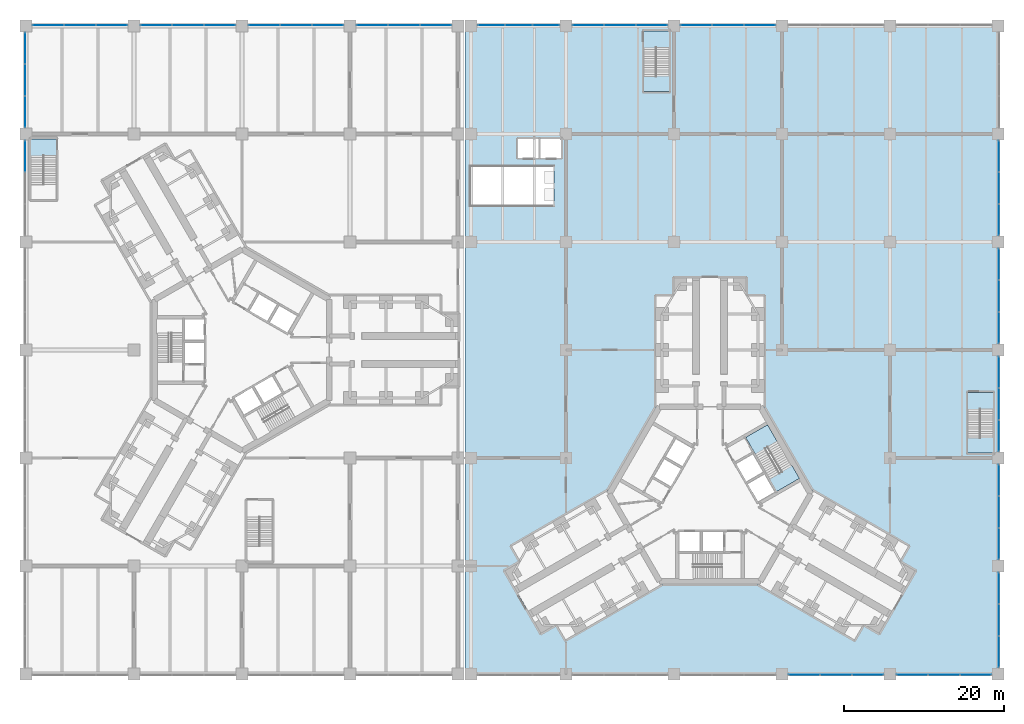
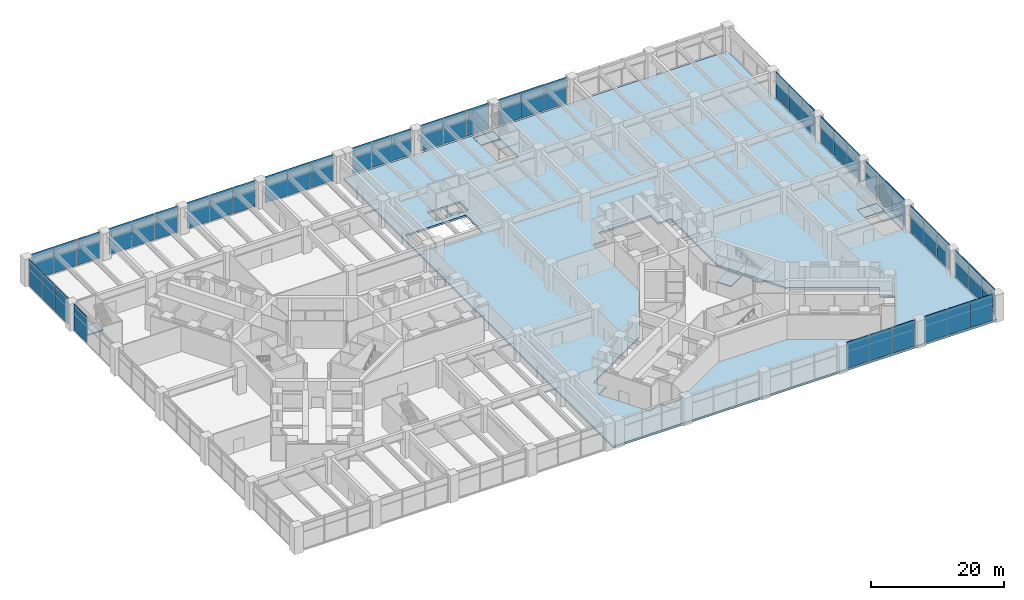
# One storey, part 19 of 31: 46 plates, 8 slabs, 20 elements without a shape of their own.
"""IFC4 building model written with IfcOpenShell, lengths in metres."""

from ifc_helpers import new_model, si_unit, direction, frame, origin, origin_2d, place, context, subcontext, project, spatial, polyline, rectangle, outline, extrude, material, layer, layer_set, type_object, element, aggregate, save


model = new_model("IFC4")

# Units and contexts
model_context = context("Model", 3, precision=1e-05, world=origin(), true_north=direction((0.0, 1.0)))
body_context = subcontext(model_context, "Body", "Model", "MODEL_VIEW")
ifc_project = project(units=[si_unit("LENGTHUNIT", "METRE"), si_unit("AREAUNIT", "SQUARE_METRE"), si_unit("VOLUMEUNIT", "CUBIC_METRE"), si_unit("PLANEANGLEUNIT", "RADIAN"), si_unit("MASSUNIT", "GRAM", prefix="KILO")], contexts=[model_context])

# Site, building, storey
site_placement = place(None, origin())
site = spatial("IfcSite", under=ifc_project, at=site_placement, CompositionType="ELEMENT")
building_placement = place(site_placement, origin())
building = spatial("IfcBuilding", under=site, at=building_placement, Name="Upepo Twin Towers", CompositionType="ELEMENT")
storey_placement = place(building_placement, frame((0.0, 0.0, 15.5)))
storey = spatial("IfcBuildingStorey", under=building, at=storey_placement, Name="L03", CompositionType="ELEMENT", Elevation=15.5)

# Curtain wall, plates
ifc_material_1 = material(Name="Aluminium and clear glass", Category="aluminium")
curtain_wall_type = type_object("IfcCurtainWallType", Name="Podium curtain wall PW1", PredefinedType="NOTDEFINED", material=ifc_material_1)
curtain_wall_1_placement = place(storey_placement, origin())
curtain_wall_1 = element("IfcCurtainWall", 1, at=curtain_wall_1_placement, inside=storey, type_object=curtain_wall_type, Name="Podium L03 curtain wall S8", PredefinedType="NOTDEFINED")
ifc_material_2 = material(Name="Ceramic-fritted laminated glass", Category="glass")
ifc_layer_1 = layer(ifc_material_2, 0.031982421875)
ifc_layer_set_1 = layer_set([ifc_layer_1], Name="Fritted glass panel, 32 mm double glazed")
plate_type_1 = type_object("IfcPlateType", Name="Fritted glass panel, 32 mm double glazed", PredefinedType="CURTAIN_PANEL", material=ifc_layer_set_1)
plate_1_placement = place(storey_placement, frame((70.28955078125, -40.60009765625, 0.14990234375), z_axis=(0.0, 0.0, 1.0), x_axis=(1.0, 0.0, 0.0)))
plate_1 = element("IfcPlate", 2, at=plate_1_placement, type_object=plate_type_1, Name="Podium L03 curtain wall S8 panel 1", PredefinedType="CURTAIN_PANEL", context=body_context, shape_type="SweptSolid", body=[
    extrude(rectangle(XDim=3.879150390625, YDim=0.031982421875, at=origin_2d()), origin(), (0.0, 0.0, 1.0), 4.85009765625),
])
plate_2_placement = place(storey_placement, frame((78.21044921875, -40.60009765625, 0.14990234375), z_axis=(0.0, 0.0, 1.0), x_axis=(1.0, 0.0, 0.0)))
plate_2 = element("IfcPlate", 3, at=plate_2_placement, type_object=plate_type_1, Name="Podium L03 curtain wall S8 panel 3", PredefinedType="CURTAIN_PANEL", context=body_context, shape_type="SweptSolid", body=[
    extrude(rectangle(XDim=3.879150390625, YDim=0.031982421875, at=origin_2d()), origin(), (0.0, 0.0, 1.0), 4.85009765625),
])

curtain_wall_2_placement = place(storey_placement, origin())
curtain_wall_2 = element("IfcCurtainWall", 4, at=curtain_wall_2_placement, inside=storey, type_object=curtain_wall_type, Name="Podium L03 curtain wall S9", PredefinedType="NOTDEFINED")
plate_3_placement = place(storey_placement, frame((83.78955078125, -40.60009765625, 0.14990234375), z_axis=(0.0, 0.0, 1.0), x_axis=(1.0, 0.0, 0.0)))
plate_3 = element("IfcPlate", 5, at=plate_3_placement, type_object=plate_type_1, Name="Podium L03 curtain wall S9 panel 1", PredefinedType="CURTAIN_PANEL", context=body_context, shape_type="SweptSolid", body=[
    extrude(rectangle(XDim=3.879150390625, YDim=0.031982421875, at=origin_2d()), origin(), (0.0, 0.0, 1.0), 4.85009765625),
])
plate_4_placement = place(storey_placement, frame((91.71044921875, -40.60009765625, 0.14990234375), z_axis=(0.0, 0.0, 1.0), x_axis=(1.0, 0.0, 0.0)))
plate_4 = element("IfcPlate", 6, at=plate_4_placement, type_object=plate_type_1, Name="Podium L03 curtain wall S9 panel 3", PredefinedType="CURTAIN_PANEL", context=body_context, shape_type="SweptSolid", body=[
    extrude(rectangle(XDim=3.879150390625, YDim=0.031982421875, at=origin_2d()), origin(), (0.0, 0.0, 1.0), 4.85009765625),
])

curtain_wall_3_placement = place(storey_placement, origin())
curtain_wall_3 = element("IfcCurtainWall", 7, at=curtain_wall_3_placement, inside=storey, type_object=curtain_wall_type, Name="Podium L03 curtain wall E1", PredefinedType="NOTDEFINED")
plate_5_placement = place(storey_placement, frame((94.60009765625, -37.71044921875, 0.14990234375), z_axis=(0.0, 0.0, 1.0), x_axis=(0.0, 1.0, 0.0)))
plate_5 = element("IfcPlate", 8, at=plate_5_placement, type_object=plate_type_1, Name="Podium L03 curtain wall E1 panel 1", PredefinedType="CURTAIN_PANEL", context=body_context, shape_type="SweptSolid", body=[
    extrude(rectangle(XDim=3.879150390625, YDim=0.031982421875, at=origin_2d()), origin(), (0.0, 0.0, 1.0), 4.85009765625),
])
plate_6_placement = place(storey_placement, frame((94.60009765625, -29.78955078125, 0.14990234375), z_axis=(0.0, 0.0, 1.0), x_axis=(0.0, 1.0, 0.0)))
plate_6 = element("IfcPlate", 9, at=plate_6_placement, type_object=plate_type_1, Name="Podium L03 curtain wall E1 panel 3", PredefinedType="CURTAIN_PANEL", context=body_context, shape_type="SweptSolid", body=[
    extrude(rectangle(XDim=3.879150390625, YDim=0.031982421875, at=origin_2d()), origin(), (0.0, 0.0, 1.0), 4.85009765625),
])

curtain_wall_4_placement = place(storey_placement, origin())
curtain_wall_4 = element("IfcCurtainWall", 10, at=curtain_wall_4_placement, inside=storey, type_object=curtain_wall_type, Name="Podium L03 curtain wall E2", PredefinedType="NOTDEFINED")
plate_7_placement = place(storey_placement, frame((94.60009765625, -24.21044921875, 0.14990234375), z_axis=(0.0, 0.0, 1.0), x_axis=(0.0, 1.0, 0.0)))
plate_7 = element("IfcPlate", 11, at=plate_7_placement, type_object=plate_type_1, Name="Podium L03 curtain wall E2 panel 1", PredefinedType="CURTAIN_PANEL", context=body_context, shape_type="SweptSolid", body=[
    extrude(rectangle(XDim=3.879150390625, YDim=0.031982421875, at=origin_2d()), origin(), (0.0, 0.0, 1.0), 4.85009765625),
])
plate_8_placement = place(storey_placement, frame((94.60009765625, -16.28955078125, 0.14990234375), z_axis=(0.0, 0.0, 1.0), x_axis=(0.0, 1.0, 0.0)))
plate_8 = element("IfcPlate", 12, at=plate_8_placement, type_object=plate_type_1, Name="Podium L03 curtain wall E2 panel 3", PredefinedType="CURTAIN_PANEL", context=body_context, shape_type="SweptSolid", body=[
    extrude(rectangle(XDim=3.879150390625, YDim=0.031982421875, at=origin_2d()), origin(), (0.0, 0.0, 1.0), 4.85009765625),
])

curtain_wall_5_placement = place(storey_placement, origin())
curtain_wall_5 = element("IfcCurtainWall", 13, at=curtain_wall_5_placement, inside=storey, type_object=curtain_wall_type, Name="Podium L03 curtain wall E3", PredefinedType="NOTDEFINED")
plate_9_placement = place(storey_placement, frame((94.60009765625, -10.71044921875, 0.14990234375), z_axis=(0.0, 0.0, 1.0), x_axis=(0.0, 1.0, 0.0)))
plate_9 = element("IfcPlate", 14, at=plate_9_placement, type_object=plate_type_1, Name="Podium L03 curtain wall E3 panel 1", PredefinedType="CURTAIN_PANEL", context=body_context, shape_type="SweptSolid", body=[
    extrude(rectangle(XDim=3.879150390625, YDim=0.031982421875, at=origin_2d()), origin(), (0.0, 0.0, 1.0), 4.85009765625),
])
plate_10_placement = place(storey_placement, frame((94.60009765625, -2.78955078125, 0.14990234375), z_axis=(0.0, 0.0, 1.0), x_axis=(0.0, 1.0, 0.0)))
plate_10 = element("IfcPlate", 15, at=plate_10_placement, type_object=plate_type_1, Name="Podium L03 curtain wall E3 panel 3", PredefinedType="CURTAIN_PANEL", context=body_context, shape_type="SweptSolid", body=[
    extrude(rectangle(XDim=3.879150390625, YDim=0.031982421875, at=origin_2d()), origin(), (0.0, 0.0, 1.0), 4.85009765625),
])

curtain_wall_6_placement = place(storey_placement, origin())
curtain_wall_6 = element("IfcCurtainWall", 16, at=curtain_wall_6_placement, inside=storey, type_object=curtain_wall_type, Name="Podium L03 curtain wall E4", PredefinedType="NOTDEFINED")
plate_11_placement = place(storey_placement, frame((94.60009765625, 2.78955078125, 0.14990234375), z_axis=(0.0, 0.0, 1.0), x_axis=(0.0, 1.0, 0.0)))
plate_11 = element("IfcPlate", 17, at=plate_11_placement, type_object=plate_type_1, Name="Podium L03 curtain wall E4 panel 1", PredefinedType="CURTAIN_PANEL", context=body_context, shape_type="SweptSolid", body=[
    extrude(rectangle(XDim=3.879150390625, YDim=0.031982421875, at=origin_2d()), origin(), (0.0, 0.0, 1.0), 4.85009765625),
])
plate_12_placement = place(storey_placement, frame((94.60009765625, 10.71044921875, 0.14990234375), z_axis=(0.0, 0.0, 1.0), x_axis=(0.0, 1.0, 0.0)))
plate_12 = element("IfcPlate", 18, at=plate_12_placement, type_object=plate_type_1, Name="Podium L03 curtain wall E4 panel 3", PredefinedType="CURTAIN_PANEL", context=body_context, shape_type="SweptSolid", body=[
    extrude(rectangle(XDim=3.879150390625, YDim=0.031982421875, at=origin_2d()), origin(), (0.0, 0.0, 1.0), 4.85009765625),
])

curtain_wall_7_placement = place(storey_placement, origin())
curtain_wall_7 = element("IfcCurtainWall", 19, at=curtain_wall_7_placement, inside=storey, type_object=curtain_wall_type, Name="Podium L03 curtain wall E5", PredefinedType="NOTDEFINED")
plate_13_placement = place(storey_placement, frame((94.60009765625, 16.28955078125, 0.14990234375), z_axis=(0.0, 0.0, 1.0), x_axis=(0.0, 1.0, 0.0)))
plate_13 = element("IfcPlate", 20, at=plate_13_placement, type_object=plate_type_1, Name="Podium L03 curtain wall E5 panel 1", PredefinedType="CURTAIN_PANEL", context=body_context, shape_type="SweptSolid", body=[
    extrude(rectangle(XDim=3.879150390625, YDim=0.031982421875, at=origin_2d()), origin(), (0.0, 0.0, 1.0), 4.85009765625),
])
plate_14_placement = place(storey_placement, frame((94.60009765625, 24.21044921875, 0.14990234375), z_axis=(0.0, 0.0, 1.0), x_axis=(0.0, 1.0, 0.0)))
plate_14 = element("IfcPlate", 21, at=plate_14_placement, type_object=plate_type_1, Name="Podium L03 curtain wall E5 panel 3", PredefinedType="CURTAIN_PANEL", context=body_context, shape_type="SweptSolid", body=[
    extrude(rectangle(XDim=3.879150390625, YDim=0.031982421875, at=origin_2d()), origin(), (0.0, 0.0, 1.0), 4.85009765625),
])

curtain_wall_8_placement = place(storey_placement, origin())
curtain_wall_8 = element("IfcCurtainWall", 22, at=curtain_wall_8_placement, inside=storey, type_object=curtain_wall_type, Name="Podium L03 curtain wall N3", PredefinedType="NOTDEFINED")
plate_15_placement = place(storey_placement, frame((64.71044921875, 40.60009765625, 0.14990234375), z_axis=(0.0, 0.0, 1.0), x_axis=(-1.0, 0.0, 0.0)))
plate_15 = element("IfcPlate", 23, at=plate_15_placement, type_object=plate_type_1, Name="Podium L03 curtain wall N3 panel 1", PredefinedType="CURTAIN_PANEL", context=body_context, shape_type="SweptSolid", body=[
    extrude(rectangle(XDim=3.879150390625, YDim=0.031982421875, at=origin_2d()), origin(), (0.0, 0.0, 1.0), 4.85009765625),
])
plate_16_placement = place(storey_placement, frame((56.78955078125, 40.60009765625, 0.14990234375), z_axis=(0.0, 0.0, 1.0), x_axis=(-1.0, 0.0, 0.0)))
plate_16 = element("IfcPlate", 24, at=plate_16_placement, type_object=plate_type_1, Name="Podium L03 curtain wall N3 panel 3", PredefinedType="CURTAIN_PANEL", context=body_context, shape_type="SweptSolid", body=[
    extrude(rectangle(XDim=3.879150390625, YDim=0.031982421875, at=origin_2d()), origin(), (0.0, 0.0, 1.0), 4.85009765625),
])

curtain_wall_9_placement = place(storey_placement, origin())
curtain_wall_9 = element("IfcCurtainWall", 25, at=curtain_wall_9_placement, inside=storey, type_object=curtain_wall_type, Name="Podium L03 curtain wall N4", PredefinedType="NOTDEFINED")
plate_17_placement = place(storey_placement, frame((51.21044921875, 40.60009765625, 0.14990234375), z_axis=(0.0, 0.0, 1.0), x_axis=(-1.0, 0.0, 0.0)))
plate_17 = element("IfcPlate", 26, at=plate_17_placement, type_object=plate_type_1, Name="Podium L03 curtain wall N4 panel 1", PredefinedType="CURTAIN_PANEL", context=body_context, shape_type="SweptSolid", body=[
    extrude(rectangle(XDim=3.879150390625, YDim=0.031982421875, at=origin_2d()), origin(), (0.0, 0.0, 1.0), 4.85009765625),
])
plate_18_placement = place(storey_placement, frame((43.28955078125, 40.60009765625, 0.14990234375), z_axis=(0.0, 0.0, 1.0), x_axis=(-1.0, 0.0, 0.0)))
plate_18 = element("IfcPlate", 27, at=plate_18_placement, type_object=plate_type_1, Name="Podium L03 curtain wall N4 panel 3", PredefinedType="CURTAIN_PANEL", context=body_context, shape_type="SweptSolid", body=[
    extrude(rectangle(XDim=3.879150390625, YDim=0.031982421875, at=origin_2d()), origin(), (0.0, 0.0, 1.0), 4.85009765625),
])

curtain_wall_10_placement = place(storey_placement, origin())
curtain_wall_10 = element("IfcCurtainWall", 28, at=curtain_wall_10_placement, inside=storey, type_object=curtain_wall_type, Name="Podium L03 curtain wall N5", PredefinedType="NOTDEFINED")
plate_19_placement = place(storey_placement, frame((37.9853515625, 40.60009765625, 0.14990234375), z_axis=(0.0, 0.0, 1.0), x_axis=(-1.0, 0.0, 0.0)))
plate_19 = element("IfcPlate", 29, at=plate_19_placement, type_object=plate_type_1, Name="Podium L03 curtain wall N5 panel 1", PredefinedType="CURTAIN_PANEL", context=body_context, shape_type="SweptSolid", body=[
    extrude(rectangle(XDim=3.3291015625, YDim=0.031982421875, at=origin_2d()), origin(), (0.0, 0.0, 1.0), 4.85009765625),
])
plate_20_placement = place(storey_placement, frame((31.16455078125, 40.60009765625, 0.14990234375), z_axis=(0.0, 0.0, 1.0), x_axis=(-1.0, 0.0, 0.0)))
plate_20 = element("IfcPlate", 30, at=plate_20_placement, type_object=plate_type_1, Name="Podium L03 curtain wall N5 panel 3", PredefinedType="CURTAIN_PANEL", context=body_context, shape_type="SweptSolid", body=[
    extrude(rectangle(XDim=3.3291015625, YDim=0.031982421875, at=origin_2d()), origin(), (0.0, 0.0, 1.0), 4.85009765625),
])

curtain_wall_11_placement = place(storey_placement, origin())
curtain_wall_11 = element("IfcCurtainWall", 31, at=curtain_wall_11_placement, inside=storey, type_object=curtain_wall_type, Name="Podium L03 curtain wall N6", PredefinedType="NOTDEFINED")
plate_21_placement = place(storey_placement, frame((24.21044921875, 40.60009765625, 0.14990234375), z_axis=(0.0, 0.0, 1.0), x_axis=(-1.0, 0.0, 0.0)))
plate_21 = element("IfcPlate", 32, at=plate_21_placement, type_object=plate_type_1, Name="Podium L03 curtain wall N6 panel 1", PredefinedType="CURTAIN_PANEL", context=body_context, shape_type="SweptSolid", body=[
    extrude(rectangle(XDim=3.879150390625, YDim=0.031982421875, at=origin_2d()), origin(), (0.0, 0.0, 1.0), 4.85009765625),
])
plate_22_placement = place(storey_placement, frame((16.28955078125, 40.60009765625, 0.14990234375), z_axis=(0.0, 0.0, 1.0), x_axis=(-1.0, 0.0, 0.0)))
plate_22 = element("IfcPlate", 33, at=plate_22_placement, type_object=plate_type_1, Name="Podium L03 curtain wall N6 panel 3", PredefinedType="CURTAIN_PANEL", context=body_context, shape_type="SweptSolid", body=[
    extrude(rectangle(XDim=3.879150390625, YDim=0.031982421875, at=origin_2d()), origin(), (0.0, 0.0, 1.0), 4.85009765625),
])

curtain_wall_12_placement = place(storey_placement, origin())
curtain_wall_12 = element("IfcCurtainWall", 34, at=curtain_wall_12_placement, inside=storey, type_object=curtain_wall_type, Name="Podium L03 curtain wall N7", PredefinedType="NOTDEFINED")
plate_23_placement = place(storey_placement, frame((10.71044921875, 40.60009765625, 0.14990234375), z_axis=(0.0, 0.0, 1.0), x_axis=(-1.0, 0.0, 0.0)))
plate_23 = element("IfcPlate", 35, at=plate_23_placement, type_object=plate_type_1, Name="Podium L03 curtain wall N7 panel 1", PredefinedType="CURTAIN_PANEL", context=body_context, shape_type="SweptSolid", body=[
    extrude(rectangle(XDim=3.879150390625, YDim=0.031982421875, at=origin_2d()), origin(), (0.0, 0.0, 1.0), 4.85009765625),
])
plate_24_placement = place(storey_placement, frame((2.78955078125, 40.60009765625, 0.14990234375), z_axis=(0.0, 0.0, 1.0), x_axis=(-1.0, 0.0, 0.0)))
plate_24 = element("IfcPlate", 36, at=plate_24_placement, type_object=plate_type_1, Name="Podium L03 curtain wall N7 panel 3", PredefinedType="CURTAIN_PANEL", context=body_context, shape_type="SweptSolid", body=[
    extrude(rectangle(XDim=3.879150390625, YDim=0.031982421875, at=origin_2d()), origin(), (0.0, 0.0, 1.0), 4.85009765625),
])

curtain_wall_13_placement = place(storey_placement, origin())
curtain_wall_13 = element("IfcCurtainWall", 37, at=curtain_wall_13_placement, inside=storey, type_object=curtain_wall_type, Name="Podium L03 curtain wall N8", PredefinedType="NOTDEFINED")
plate_25_placement = place(storey_placement, frame((-2.78955078125, 40.60009765625, 0.14990234375), z_axis=(0.0, 0.0, 1.0), x_axis=(-1.0, 0.0, 0.0)))
plate_25 = element("IfcPlate", 38, at=plate_25_placement, type_object=plate_type_1, Name="Podium L03 curtain wall N8 panel 1", PredefinedType="CURTAIN_PANEL", context=body_context, shape_type="SweptSolid", body=[
    extrude(rectangle(XDim=3.879150390625, YDim=0.031982421875, at=origin_2d()), origin(), (0.0, 0.0, 1.0), 4.85009765625),
])
plate_26_placement = place(storey_placement, frame((-10.71044921875, 40.60009765625, 0.14990234375), z_axis=(0.0, 0.0, 1.0), x_axis=(-1.0, 0.0, 0.0)))
plate_26 = element("IfcPlate", 39, at=plate_26_placement, type_object=plate_type_1, Name="Podium L03 curtain wall N8 panel 3", PredefinedType="CURTAIN_PANEL", context=body_context, shape_type="SweptSolid", body=[
    extrude(rectangle(XDim=3.879150390625, YDim=0.031982421875, at=origin_2d()), origin(), (0.0, 0.0, 1.0), 4.85009765625),
])

curtain_wall_14_placement = place(storey_placement, origin())
curtain_wall_14 = element("IfcCurtainWall", 40, at=curtain_wall_14_placement, inside=storey, type_object=curtain_wall_type, Name="Podium L03 curtain wall N9", PredefinedType="NOTDEFINED")
plate_27_placement = place(storey_placement, frame((-16.28955078125, 40.60009765625, 0.14990234375), z_axis=(0.0, 0.0, 1.0), x_axis=(-1.0, 0.0, 0.0)))
plate_27 = element("IfcPlate", 41, at=plate_27_placement, type_object=plate_type_1, Name="Podium L03 curtain wall N9 panel 1", PredefinedType="CURTAIN_PANEL", context=body_context, shape_type="SweptSolid", body=[
    extrude(rectangle(XDim=3.879150390625, YDim=0.031982421875, at=origin_2d()), origin(), (0.0, 0.0, 1.0), 4.85009765625),
])
plate_28_placement = place(storey_placement, frame((-24.21044921875, 40.60009765625, 0.14990234375), z_axis=(0.0, 0.0, 1.0), x_axis=(-1.0, 0.0, 0.0)))
plate_28 = element("IfcPlate", 42, at=plate_28_placement, type_object=plate_type_1, Name="Podium L03 curtain wall N9 panel 3", PredefinedType="CURTAIN_PANEL", context=body_context, shape_type="SweptSolid", body=[
    extrude(rectangle(XDim=3.879150390625, YDim=0.031982421875, at=origin_2d()), origin(), (0.0, 0.0, 1.0), 4.85009765625),
])

curtain_wall_15_placement = place(storey_placement, origin())
curtain_wall_15 = element("IfcCurtainWall", 43, at=curtain_wall_15_placement, inside=storey, type_object=curtain_wall_type, Name="Podium L03 curtain wall W1", PredefinedType="NOTDEFINED")
plate_29_placement = place(storey_placement, frame((-27.10009765625, 37.71044921875, 0.14990234375), z_axis=(0.0, 0.0, 1.0), x_axis=(0.0, -1.0, 0.0)))
plate_29 = element("IfcPlate", 44, at=plate_29_placement, type_object=plate_type_1, Name="Podium L03 curtain wall W1 panel 1", PredefinedType="CURTAIN_PANEL", context=body_context, shape_type="SweptSolid", body=[
    extrude(rectangle(XDim=3.879150390625, YDim=0.031982421875, at=origin_2d()), origin(), (0.0, 0.0, 1.0), 4.85009765625),
])
plate_30_placement = place(storey_placement, frame((-27.10009765625, 29.78955078125, 0.14990234375), z_axis=(0.0, 0.0, 1.0), x_axis=(0.0, -1.0, 0.0)))
plate_30 = element("IfcPlate", 45, at=plate_30_placement, type_object=plate_type_1, Name="Podium L03 curtain wall W1 panel 3", PredefinedType="CURTAIN_PANEL", context=body_context, shape_type="SweptSolid", body=[
    extrude(rectangle(XDim=3.879150390625, YDim=0.031982421875, at=origin_2d()), origin(), (0.0, 0.0, 1.0), 4.85009765625),
])

# Curtain wall, plate
curtain_wall_16_placement = place(storey_placement, origin())
curtain_wall_16 = element("IfcCurtainWall", 46, at=curtain_wall_16_placement, inside=storey, type_object=curtain_wall_type, Name="Podium L03 curtain wall W2", PredefinedType="NOTDEFINED")
plate_31_placement = place(storey_placement, frame((-27.10009765625, 24.21044921875, 0.14990234375), z_axis=(0.0, 0.0, 1.0), x_axis=(0.0, -1.0, 0.0)))
plate_31 = element("IfcPlate", 47, at=plate_31_placement, type_object=plate_type_1, Name="Podium L03 curtain wall W2 panel 1", PredefinedType="CURTAIN_PANEL", context=body_context, shape_type="SweptSolid", body=[
    extrude(rectangle(XDim=3.879150390625, YDim=0.031982421875, at=origin_2d()), origin(), (0.0, 0.0, 1.0), 4.85009765625),
])
aggregate(curtain_wall_16, [plate_31])

# Plate
ifc_material_3 = material(Name="Clear laminated glass in opening sash", Category="glass")
ifc_layer_2 = layer(ifc_material_3, 0.031982421875)
ifc_layer_set_2 = layer_set([ifc_layer_2], Name="Operable glass panel, 32 mm double glazed")
plate_type_2 = type_object("IfcPlateType", Name="Operable glass panel, 32 mm double glazed", PredefinedType="CURTAIN_PANEL", material=ifc_layer_set_2)
plate_32_placement = place(storey_placement, frame((74.25, -40.60009765625, 0.14990234375), z_axis=(0.0, 0.0, 1.0), x_axis=(1.0, 0.0, 0.0)))
plate_32 = element("IfcPlate", 48, at=plate_32_placement, type_object=plate_type_2, Name="Podium L03 curtain wall S8 panel 2", PredefinedType="CURTAIN_PANEL", context=body_context, shape_type="SweptSolid", body=[
    extrude(rectangle(XDim=3.91162109375, YDim=0.031982421875, at=origin_2d()), origin(), (0.0, 0.0, 1.0), 4.85009765625),
])

aggregate(curtain_wall_1, [plate_1, plate_32, plate_2])

plate_33_placement = place(storey_placement, frame((87.75, -40.60009765625, 0.14990234375), z_axis=(0.0, 0.0, 1.0), x_axis=(1.0, 0.0, 0.0)))
plate_33 = element("IfcPlate", 49, at=plate_33_placement, type_object=plate_type_2, Name="Podium L03 curtain wall S9 panel 2", PredefinedType="CURTAIN_PANEL", context=body_context, shape_type="SweptSolid", body=[
    extrude(rectangle(XDim=3.91162109375, YDim=0.031982421875, at=origin_2d()), origin(), (0.0, 0.0, 1.0), 4.85009765625),
])

aggregate(curtain_wall_2, [plate_3, plate_33, plate_4])

plate_34_placement = place(storey_placement, frame((94.60009765625, -33.75, 0.14990234375), z_axis=(0.0, 0.0, 1.0), x_axis=(0.0, 1.0, 0.0)))
plate_34 = element("IfcPlate", 50, at=plate_34_placement, type_object=plate_type_2, Name="Podium L03 curtain wall E1 panel 2", PredefinedType="CURTAIN_PANEL", context=body_context, shape_type="SweptSolid", body=[
    extrude(rectangle(XDim=3.91162109375, YDim=0.031982421875, at=origin_2d()), origin(), (0.0, 0.0, 1.0), 4.85009765625),
])

aggregate(curtain_wall_3, [plate_5, plate_34, plate_6])

plate_35_placement = place(storey_placement, frame((94.60009765625, -20.25, 0.14990234375), z_axis=(0.0, 0.0, 1.0), x_axis=(0.0, 1.0, 0.0)))
plate_35 = element("IfcPlate", 51, at=plate_35_placement, type_object=plate_type_2, Name="Podium L03 curtain wall E2 panel 2", PredefinedType="CURTAIN_PANEL", context=body_context, shape_type="SweptSolid", body=[
    extrude(rectangle(XDim=3.91162109375, YDim=0.031982421875, at=origin_2d()), origin(), (0.0, 0.0, 1.0), 4.85009765625),
])

aggregate(curtain_wall_4, [plate_7, plate_35, plate_8])

plate_36_placement = place(storey_placement, frame((94.60009765625, -6.75, 0.14990234375), z_axis=(0.0, 0.0, 1.0), x_axis=(0.0, 1.0, 0.0)))
plate_36 = element("IfcPlate", 52, at=plate_36_placement, type_object=plate_type_2, Name="Podium L03 curtain wall E3 panel 2", PredefinedType="CURTAIN_PANEL", context=body_context, shape_type="SweptSolid", body=[
    extrude(rectangle(XDim=3.91162109375, YDim=0.031982421875, at=origin_2d()), origin(), (0.0, 0.0, 1.0), 4.85009765625),
])

aggregate(curtain_wall_5, [plate_9, plate_36, plate_10])

plate_37_placement = place(storey_placement, frame((94.60009765625, 6.75, 0.14990234375), z_axis=(0.0, 0.0, 1.0), x_axis=(0.0, 1.0, 0.0)))
plate_37 = element("IfcPlate", 53, at=plate_37_placement, type_object=plate_type_2, Name="Podium L03 curtain wall E4 panel 2", PredefinedType="CURTAIN_PANEL", context=body_context, shape_type="SweptSolid", body=[
    extrude(rectangle(XDim=3.91162109375, YDim=0.031982421875, at=origin_2d()), origin(), (0.0, 0.0, 1.0), 4.85009765625),
])

aggregate(curtain_wall_6, [plate_11, plate_37, plate_12])

plate_38_placement = place(storey_placement, frame((94.60009765625, 20.25, 0.14990234375), z_axis=(0.0, 0.0, 1.0), x_axis=(0.0, 1.0, 0.0)))
plate_38 = element("IfcPlate", 54, at=plate_38_placement, type_object=plate_type_2, Name="Podium L03 curtain wall E5 panel 2", PredefinedType="CURTAIN_PANEL", context=body_context, shape_type="SweptSolid", body=[
    extrude(rectangle(XDim=3.91162109375, YDim=0.031982421875, at=origin_2d()), origin(), (0.0, 0.0, 1.0), 4.85009765625),
])

aggregate(curtain_wall_7, [plate_13, plate_38, plate_14])

plate_39_placement = place(storey_placement, frame((60.75, 40.60009765625, 0.14990234375), z_axis=(0.0, 0.0, 1.0), x_axis=(-1.0, 0.0, 0.0)))
plate_39 = element("IfcPlate", 55, at=plate_39_placement, type_object=plate_type_2, Name="Podium L03 curtain wall N3 panel 2", PredefinedType="CURTAIN_PANEL", context=body_context, shape_type="SweptSolid", body=[
    extrude(rectangle(XDim=3.91162109375, YDim=0.031982421875, at=origin_2d()), origin(), (0.0, 0.0, 1.0), 4.85009765625),
])

aggregate(curtain_wall_8, [plate_15, plate_39, plate_16])

plate_40_placement = place(storey_placement, frame((47.25, 40.60009765625, 0.14990234375), z_axis=(0.0, 0.0, 1.0), x_axis=(-1.0, 0.0, 0.0)))
plate_40 = element("IfcPlate", 56, at=plate_40_placement, type_object=plate_type_2, Name="Podium L03 curtain wall N4 panel 2", PredefinedType="CURTAIN_PANEL", context=body_context, shape_type="SweptSolid", body=[
    extrude(rectangle(XDim=3.91162109375, YDim=0.031982421875, at=origin_2d()), origin(), (0.0, 0.0, 1.0), 4.85009765625),
])

aggregate(curtain_wall_9, [plate_17, plate_40, plate_18])

plate_41_placement = place(storey_placement, frame((34.574951171875, 40.60009765625, 0.14990234375), z_axis=(0.0, 0.0, 1.0), x_axis=(-1.0, 0.0, 0.0)))
plate_41 = element("IfcPlate", 57, at=plate_41_placement, type_object=plate_type_2, Name="Podium L03 curtain wall N5 panel 2", PredefinedType="CURTAIN_PANEL", context=body_context, shape_type="SweptSolid", body=[
    extrude(rectangle(XDim=3.361572265625, YDim=0.031982421875, at=origin_2d()), origin(), (0.0, 0.0, 1.0), 4.85009765625),
])

aggregate(curtain_wall_10, [plate_19, plate_41, plate_20])

plate_42_placement = place(storey_placement, frame((20.25, 40.60009765625, 0.14990234375), z_axis=(0.0, 0.0, 1.0), x_axis=(-1.0, 0.0, 0.0)))
plate_42 = element("IfcPlate", 58, at=plate_42_placement, type_object=plate_type_2, Name="Podium L03 curtain wall N6 panel 2", PredefinedType="CURTAIN_PANEL", context=body_context, shape_type="SweptSolid", body=[
    extrude(rectangle(XDim=3.91162109375, YDim=0.031982421875, at=origin_2d()), origin(), (0.0, 0.0, 1.0), 4.85009765625),
])

aggregate(curtain_wall_11, [plate_21, plate_42, plate_22])

plate_43_placement = place(storey_placement, frame((6.75, 40.60009765625, 0.14990234375), z_axis=(0.0, 0.0, 1.0), x_axis=(-1.0, 0.0, 0.0)))
plate_43 = element("IfcPlate", 59, at=plate_43_placement, type_object=plate_type_2, Name="Podium L03 curtain wall N7 panel 2", PredefinedType="CURTAIN_PANEL", context=body_context, shape_type="SweptSolid", body=[
    extrude(rectangle(XDim=3.91162109375, YDim=0.031982421875, at=origin_2d()), origin(), (0.0, 0.0, 1.0), 4.85009765625),
])

aggregate(curtain_wall_12, [plate_23, plate_43, plate_24])

plate_44_placement = place(storey_placement, frame((-6.75, 40.60009765625, 0.14990234375), z_axis=(0.0, 0.0, 1.0), x_axis=(-1.0, 0.0, 0.0)))
plate_44 = element("IfcPlate", 60, at=plate_44_placement, type_object=plate_type_2, Name="Podium L03 curtain wall N8 panel 2", PredefinedType="CURTAIN_PANEL", context=body_context, shape_type="SweptSolid", body=[
    extrude(rectangle(XDim=3.91162109375, YDim=0.031982421875, at=origin_2d()), origin(), (0.0, 0.0, 1.0), 4.85009765625),
])

aggregate(curtain_wall_13, [plate_25, plate_44, plate_26])

plate_45_placement = place(storey_placement, frame((-20.25, 40.60009765625, 0.14990234375), z_axis=(0.0, 0.0, 1.0), x_axis=(-1.0, 0.0, 0.0)))
plate_45 = element("IfcPlate", 61, at=plate_45_placement, type_object=plate_type_2, Name="Podium L03 curtain wall N9 panel 2", PredefinedType="CURTAIN_PANEL", context=body_context, shape_type="SweptSolid", body=[
    extrude(rectangle(XDim=3.91162109375, YDim=0.031982421875, at=origin_2d()), origin(), (0.0, 0.0, 1.0), 4.85009765625),
])

aggregate(curtain_wall_14, [plate_27, plate_45, plate_28])

plate_46_placement = place(storey_placement, frame((-27.10009765625, 33.75, 0.14990234375), z_axis=(0.0, 0.0, 1.0), x_axis=(0.0, -1.0, 0.0)))
plate_46 = element("IfcPlate", 62, at=plate_46_placement, type_object=plate_type_2, Name="Podium L03 curtain wall W1 panel 2", PredefinedType="CURTAIN_PANEL", context=body_context, shape_type="SweptSolid", body=[
    extrude(rectangle(XDim=3.91162109375, YDim=0.031982421875, at=origin_2d()), origin(), (0.0, 0.0, 1.0), 4.85009765625),
])

aggregate(curtain_wall_15, [plate_29, plate_46, plate_30])

# Slab
ifc_material_4 = material(Name="Concrete C40/50", Category="concrete")
ifc_layer_3 = layer(ifc_material_4, 0.35009765625)
ifc_layer_set_3 = layer_set([ifc_layer_3], Name="Concrete C40/50")
slab_type_1 = type_object("IfcSlabType", Name="Podium floor slab 350 RC", PredefinedType="FLOOR", material=ifc_layer_set_3)
slab_1_placement = place(storey_placement, frame((0.0, 0.0, -0.35009765625)))
element("IfcSlab", 63, at=slab_1_placement, inside=storey, type_object=slab_type_1, Name="L03 podium floor slab east", PredefinedType="FLOOR", context=body_context, shape_type="SweptSolid", body=[
    extrude(outline(polyline([(94.5, -40.5), (27.89990234375, -40.5), (27.89990234375, 40.5), (94.5, 40.5), (94.5, -40.5)]), holes=[polyline([(82.18408203125, -26.477783203125), (84.132568359375, -27.602783203125), (79.632568359375, -35.397216796875), (77.68408203125, -34.272216796875), (76.55908203125, -36.220703125), (64.5, -29.25830078125), (52.5, -29.25830078125), (40.44091796875, -36.220703125), (39.31591796875, -34.272216796875), (37.367431640625, -35.397216796875), (32.867431640625, -27.602783203125), (34.81591796875, -26.477783203125), (33.69091796875, -24.529296875), (45.75, -17.56689453125), (51.75, -7.174560546875), (51.75, 6.75), (54.0, 6.75), (54.0, 9.0), (63.0, 9.0), (63.0, 6.75), (65.25, 6.75), (65.25, -7.174560546875), (71.25, -17.56689453125), (83.30908203125, -24.529296875), (82.18408203125, -26.477783203125)]), polyline([(94.0, -13.0), (94.0, -5.199951171875), (90.60009765625, -5.199951171875), (90.60009765625, -13.0), (94.0, -13.0)]), polyline([(53.5, 32.199951171875), (53.5, 40.0), (50.10009765625, 40.0), (50.10009765625, 32.199951171875), (53.5, 32.199951171875)]), polyline([(40.0, 23.89990234375), (40.0, 26.5), (37.300048828125, 26.5), (37.300048828125, 23.89990234375), (40.0, 23.89990234375)]), polyline([(37.10009765625, 23.89990234375), (37.10009765625, 26.5), (34.39990234375, 26.5), (34.39990234375, 23.89990234375), (37.10009765625, 23.89990234375)]), polyline([(39.0, 18.0), (39.0, 23.0), (28.5, 23.0), (28.5, 18.0), (39.0, 18.0)])]), origin(), (0.0, 0.0, 1.0), 0.35009765625),
])

# Stair, slabs
ifc_material_5 = material(Name="Concrete C40/50", Category="concrete")
stair_type_1 = type_object("IfcStairType", Name="Core stair, two flights", PredefinedType="HALF_TURN_STAIR", material=ifc_material_5)
stair_1_placement = place(storey_placement, origin())
stair_1 = element("IfcStair", 64, at=stair_1_placement, inside=storey, type_object=stair_type_1, Name="T2 stair S2 L03", PredefinedType="HALF_TURN_STAIR")
ifc_material_6 = material(Name="Concrete C40/50", Category="concrete")
ifc_layer_4 = layer(ifc_material_6, 0.199951171875)
ifc_layer_set_4 = layer_set([ifc_layer_4], Name="Concrete C40/50")
slab_type_2 = type_object("IfcSlabType", Name="Stair landing 200 RC", PredefinedType="LANDING", material=ifc_layer_set_4)
slab_2_placement = place(storey_placement, frame((0.0, 0.0, -0.199951171875)))
slab_2 = element("IfcSlab", 65, at=slab_2_placement, type_object=slab_type_2, Name="Stair S2 landing 1", PredefinedType="LANDING", context=body_context, shape_type="SweptSolid", body=[
    extrude(outline(polyline([(64.198486328125, -13.0703125), (66.933837890625, -11.490966796875), (65.69384765625, -9.34326171875), (62.95849609375, -10.922607421875), (64.198486328125, -13.0703125)])), origin(), (0.0, 0.0, 1.0), 0.199951171875),
])
slab_3_placement = place(storey_placement, frame((0.0, 0.0, 2.300048828125)))
slab_3 = element("IfcSlab", 66, at=slab_3_placement, type_object=slab_type_2, Name="Stair S2 landing 2", PredefinedType="LANDING", context=body_context, shape_type="SweptSolid", body=[
    extrude(outline(polyline([(66.77197265625, -17.7275390625), (69.680419921875, -16.04833984375), (68.740478515625, -14.420166015625), (65.83203125, -16.099365234375), (66.77197265625, -17.7275390625)])), origin(), (0.0, 0.0, 1.0), 0.199951171875),
])
aggregate(stair_1, [slab_2, slab_3])

# Stair, slab
ifc_material_7 = material(Name="Concrete C40/50", Category="concrete")
stair_type_2 = type_object("IfcStairType", Name="Podium stair, two flights", PredefinedType="HALF_TURN_STAIR", material=ifc_material_7)
stair_2_placement = place(storey_placement, origin())
stair_2 = element("IfcStair", 67, at=stair_2_placement, inside=storey, type_object=stair_type_2, Name="Podium stair PS1 L03", PredefinedType="HALF_TURN_STAIR")
slab_4_placement = place(storey_placement, frame((0.0, 0.0, -0.199951171875)))
slab_4 = element("IfcSlab", 68, at=slab_4_placement, type_object=slab_type_2, Name="Stair PS1 landing 1", PredefinedType="LANDING", context=body_context, shape_type="SweptSolid", body=[
    extrude(outline(polyline([(-26.5, 24.219970703125), (-23.10009765625, 24.219970703125), (-23.10009765625, 26.39990234375), (-26.5, 26.39990234375), (-26.5, 24.219970703125)])), origin(), (0.0, 0.0, 1.0), 0.199951171875),
])
aggregate(stair_2, [slab_4])

# Stair, slabs
stair_3_placement = place(storey_placement, origin())
stair_3 = element("IfcStair", 69, at=stair_3_placement, inside=storey, type_object=stair_type_2, Name="Podium stair PS2 L03", PredefinedType="HALF_TURN_STAIR")
slab_5_placement = place(storey_placement, frame((0.0, 0.0, -0.199951171875)))
slab_5 = element("IfcSlab", 70, at=slab_5_placement, type_object=slab_type_2, Name="Stair PS2 landing 1", PredefinedType="LANDING", context=body_context, shape_type="SweptSolid", body=[
    extrude(outline(polyline([(90.60009765625, -7.47998046875), (94.0, -7.47998046875), (94.0, -5.300048828125), (90.60009765625, -5.300048828125), (90.60009765625, -7.47998046875)])), origin(), (0.0, 0.0, 1.0), 0.199951171875),
])
slab_6_placement = place(storey_placement, frame((0.0, 0.0, 2.300048828125)))
slab_6 = element("IfcSlab", 71, at=slab_6_placement, type_object=slab_type_2, Name="Stair PS2 landing 2", PredefinedType="LANDING", context=body_context, shape_type="SweptSolid", body=[
    extrude(outline(polyline([(90.60009765625, -12.89990234375), (94.0, -12.89990234375), (94.0, -10.919921875), (90.60009765625, -10.919921875), (90.60009765625, -12.89990234375)])), origin(), (0.0, 0.0, 1.0), 0.199951171875),
])
aggregate(stair_3, [slab_5, slab_6])

stair_4_placement = place(storey_placement, origin())
stair_4 = element("IfcStair", 72, at=stair_4_placement, inside=storey, type_object=stair_type_2, Name="Podium stair PS4 L03", PredefinedType="HALF_TURN_STAIR")
slab_7_placement = place(storey_placement, frame((0.0, 0.0, -0.199951171875)))
slab_7 = element("IfcSlab", 73, at=slab_7_placement, type_object=slab_type_2, Name="Stair PS4 landing 1", PredefinedType="LANDING", context=body_context, shape_type="SweptSolid", body=[
    extrude(outline(polyline([(50.10009765625, 37.719970703125), (53.5, 37.719970703125), (53.5, 39.89990234375), (50.10009765625, 39.89990234375), (50.10009765625, 37.719970703125)])), origin(), (0.0, 0.0, 1.0), 0.199951171875),
])
slab_8_placement = place(storey_placement, frame((0.0, 0.0, 2.300048828125)))
slab_8 = element("IfcSlab", 74, at=slab_8_placement, type_object=slab_type_2, Name="Stair PS4 landing 2", PredefinedType="LANDING", context=body_context, shape_type="SweptSolid", body=[
    extrude(outline(polyline([(50.10009765625, 32.300048828125), (53.5, 32.300048828125), (53.5, 34.280029296875), (50.10009765625, 34.280029296875), (50.10009765625, 32.300048828125)])), origin(), (0.0, 0.0, 1.0), 0.199951171875),
])
aggregate(stair_4, [slab_7, slab_8])

save(model, "model.ifc")
